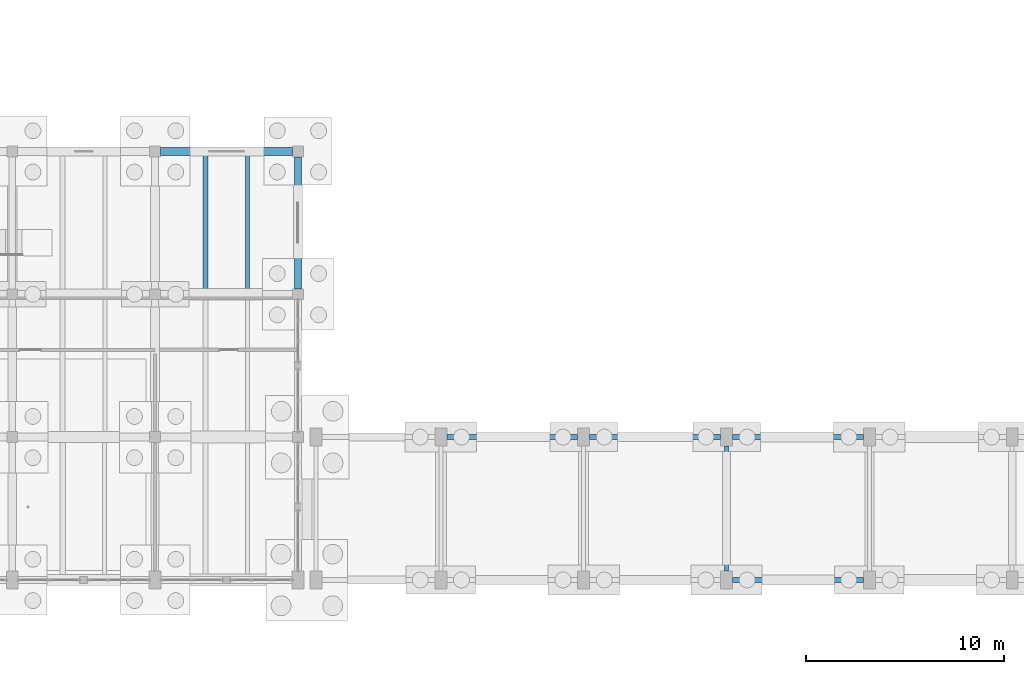
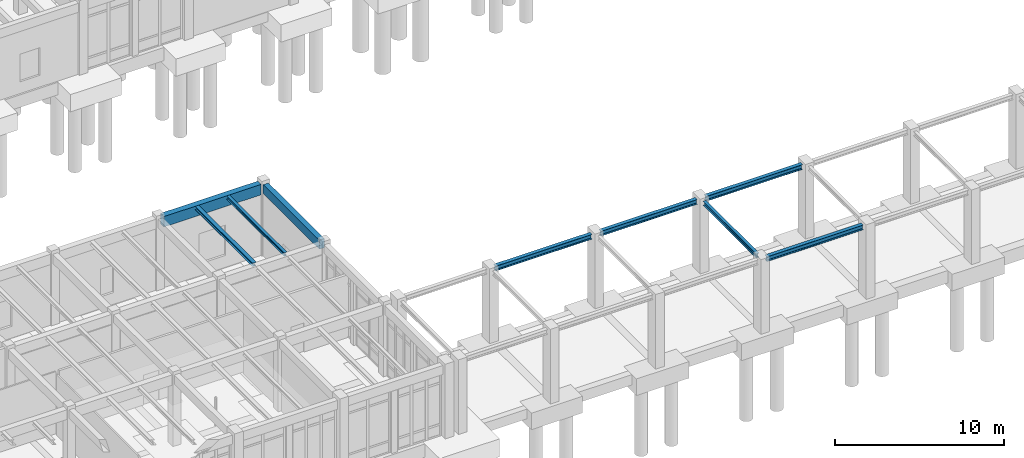
# One storey, part 20 of 93: 9 beams.
"""IFC4 building model written with IfcOpenShell, lengths in metres."""

from ifc_helpers import new_model, si_unit, direction, frame, origin, origin_2d, place, context, subcontext, project, spatial, rectangle, i_section, extrude, material, material_profile, profile_set, type_object, element, save


model = new_model("IFC4")

# Units and contexts
model_context = context("Model", 3, precision=1e-05, world=origin(), true_north=direction((0.0, 1.0)))
body_context = subcontext(model_context, "Body", "Model", "MODEL_VIEW")
ifc_project = project(units=[si_unit("LENGTHUNIT", "METRE"), si_unit("AREAUNIT", "SQUARE_METRE"), si_unit("VOLUMEUNIT", "CUBIC_METRE"), si_unit("PLANEANGLEUNIT", "RADIAN"), si_unit("MASSUNIT", "GRAM", prefix="KILO")], contexts=[model_context])

# Site, building, storey
site_placement = place(None, origin())
site = spatial("IfcSite", under=ifc_project, at=site_placement, CompositionType="ELEMENT")
building_placement = place(site_placement, origin())
building = spatial("IfcBuilding", under=site, at=building_placement, Name="Koriwan Promenade Central Fire Station", CompositionType="ELEMENT")
storey_placement = place(building_placement, origin())
storey = spatial("IfcBuildingStorey", under=building, at=storey_placement, Name="L00", CompositionType="ELEMENT", Elevation=0.0)

# Beams
ifc_material_1 = material(Name="Concrete C35/45", Category="concrete")
ifc_material_profile_1 = material_profile(ifc_material_1, rectangle(XDim=0.35009765625, YDim=0.64990234375, at=origin_2d()), Name="RC-BM-350x650")
ifc_profile_set_1 = profile_set([ifc_material_profile_1], Name="Concrete C35/45")
beam_type_1 = type_object("IfcBeamType", Name="Beam_RC-BM-350x650", PredefinedType="BEAM", material=ifc_profile_set_1)
beam_1_placement = place(storey_placement, frame((36.0, 14.675048828125, 4.824951171875), z_axis=(0.0, 1.0, 0.0), x_axis=(-1.0, 0.0, 0.0)))
element("IfcBeam", 1, at=beam_1_placement, inside=storey, type_object=beam_type_1, Name="V3 L00 girder Y-247", PredefinedType="BEAM", context=body_context, shape_type="SweptSolid", body=[
    extrude(rectangle(XDim=0.35009765625, YDim=0.64990234375, at=origin_2d()), origin(), (0.0, 0.0, 1.0), 6.64990234375),
])
ifc_material_profile_2 = material_profile(ifc_material_1, rectangle(XDim=0.39990234375, YDim=0.75, at=origin_2d()), Name="RC-BM-400x750")
ifc_profile_set_2 = profile_set([ifc_material_profile_2], Name="Concrete C35/45")
beam_type_2 = type_object("IfcBeamType", Name="Beam_RC-BM-400x750", PredefinedType="BEAM", material=ifc_profile_set_2)
beam_2_placement = place(storey_placement, frame((29.074951171875, 21.60009765625, 4.77490234375), z_axis=(1.0, 0.0, 0.0), x_axis=(0.0, 1.0, 0.0)))
element("IfcBeam", 2, at=beam_2_placement, inside=storey, type_object=beam_type_2, Name="V3 L00 girder X-229", PredefinedType="BEAM", context=body_context, shape_type="SweptSolid", body=[
    extrude(rectangle(XDim=0.39990234375, YDim=0.75, at=origin_2d()), origin(), (0.0, 0.0, 1.0), 6.650146484375),
])
ifc_material_2 = material(Name="Steel ASTM A992 Grade 50", Category="steel")
ifc_material_profile_3 = material_profile(ifc_material_2, i_section(OverallWidth=0.202880859375, OverallDepth=0.251953125, WebThickness=0.008056640625, FlangeThickness=0.013427734375, FilletRadius=0.012939453125, at=origin_2d()), Name="W250x58")
ifc_profile_set_3 = profile_set([ifc_material_profile_3], Name="Steel ASTM A992 Grade 50")
beam_type_3 = type_object("IfcBeamType", Name="SteelBeam_W250x58", PredefinedType="JOIST", material=ifc_profile_set_3)
beam_3_placement = place(storey_placement, frame((33.464111328125, 14.60009765625, 5.02392578125), z_axis=(0.0, 1.0, 0.0), x_axis=(-1.0, 0.0, 0.0)))
element("IfcBeam", 3, at=beam_3_placement, inside=storey, type_object=beam_type_3, Name="V3 L00 secondary joist 269", PredefinedType="JOIST", context=body_context, shape_type="SweptSolid", body=[
    extrude(i_section(OverallWidth=0.202880859375, OverallDepth=0.251953125, WebThickness=0.008056640625, FlangeThickness=0.013427734375, FilletRadius=0.012939453125, at=origin_2d()), origin(), (0.0, 0.0, 1.0), 6.7998046875),
])
ifc_material_profile_4 = material_profile(ifc_material_2, i_section(OverallWidth=0.25390625, OverallDepth=0.2529296875, WebThickness=0.008544921875, FlangeThickness=0.01416015625, FilletRadius=0.012939453125, at=origin_2d()), Name="W250x73")
ifc_profile_set_4 = profile_set([ifc_material_profile_4], Name="Steel ASTM A992 Grade 50")
beam_type_4 = type_object("IfcBeamType", Name="SteelBeam_W250x73", PredefinedType="JOIST", material=ifc_profile_set_4)
beam_4_placement = place(storey_placement, frame((31.3359375, 14.60009765625, 5.0234375), z_axis=(0.0, 1.0, 0.0), x_axis=(-1.0, 0.0, 0.0)))
element("IfcBeam", 4, at=beam_4_placement, inside=storey, type_object=beam_type_4, Name="V3 L00 secondary joist 268", PredefinedType="JOIST", context=body_context, shape_type="SweptSolid", body=[
    extrude(i_section(OverallWidth=0.25390625, OverallDepth=0.2529296875, WebThickness=0.008544921875, FlangeThickness=0.01416015625, FilletRadius=0.012939453125, at=origin_2d()), origin(), (0.0, 0.0, 1.0), 6.7998046875),
])
ifc_material_profile_5 = material_profile(ifc_material_2, i_section(OverallWidth=0.202880859375, OverallDepth=0.302978515625, WebThickness=0.007568359375, FlangeThickness=0.01318359375, FilletRadius=0.014892578125, at=origin_2d()), Name="W310x60")
ifc_profile_set_5 = profile_set([ifc_material_profile_5], Name="Steel ASTM A992 Grade 50")
beam_type_5 = type_object("IfcBeamType", Name="SteelBeam_W310x60", PredefinedType="JOIST", material=ifc_profile_set_5)
beam_5_placement = place(storey_placement, frame((57.60009765625, 0.449951171875, 5.048095703125), z_axis=(0.0, 1.0, 0.0), x_axis=(-1.0, 0.0, 0.0)))
element("IfcBeam", 5, at=beam_5_placement, inside=storey, type_object=beam_type_5, Name="COL_SOUTH arcade cross beam 1102", PredefinedType="JOIST", context=body_context, shape_type="SweptSolid", body=[
    extrude(i_section(OverallWidth=0.202880859375, OverallDepth=0.302978515625, WebThickness=0.007568359375, FlangeThickness=0.01318359375, FilletRadius=0.014892578125, at=origin_2d()), origin(), (0.0, 0.0, 1.0), 6.300048828125),
])
ifc_material_profile_6 = material_profile(ifc_material_2, i_section(OverallWidth=0.25390625, OverallDepth=0.35302734375, WebThickness=0.009521484375, FlangeThickness=0.016357421875, FilletRadius=0.014892578125, at=origin_2d()), Name="W360x91")
ifc_profile_set_6 = profile_set([ifc_material_profile_6], Name="Steel ASTM A992 Grade 50")
beam_type_6 = type_object("IfcBeamType", Name="SteelBeam_W360x91", PredefinedType="BEAM", material=ifc_profile_set_6)
for number, where, z_axis, x_axis, name in (
    (6, (57.89990234375, 0.0, 5.02294921875), (1.0, 0.0, 0.0), (0.0, 1.0, 0.0), "COL_SOUTH arcade beam 1072"),
    (7, (43.5, 7.199951171875, 5.02294921875), (1.0, 0.0, 0.0), (0.0, 1.0, 0.0), "COL_SOUTH arcade beam 1085"),
    (8, (50.699951171875, 7.199951171875, 5.02294921875), (1.0, 0.0, 0.0), (0.0, 1.0, 0.0), "COL_SOUTH arcade beam 1086"),
    (9, (57.89990234375, 7.199951171875, 5.02294921875), (1.0, 0.0, 0.0), (0.0, 1.0, 0.0), "COL_SOUTH arcade beam 1087"),
):
    element("IfcBeam", number, at=place(storey_placement, frame(where, z_axis=z_axis, x_axis=x_axis)), inside=storey, type_object=beam_type_6, Name=name, PredefinedType="BEAM", context=body_context, shape_type="SweptSolid", body=[
        extrude(i_section(OverallWidth=0.25390625, OverallDepth=0.35302734375, WebThickness=0.009521484375, FlangeThickness=0.016357421875, FilletRadius=0.014892578125, at=origin_2d()), origin(), (0.0, 0.0, 1.0), 6.60009765625),
    ])

save(model, "model.ifc")
